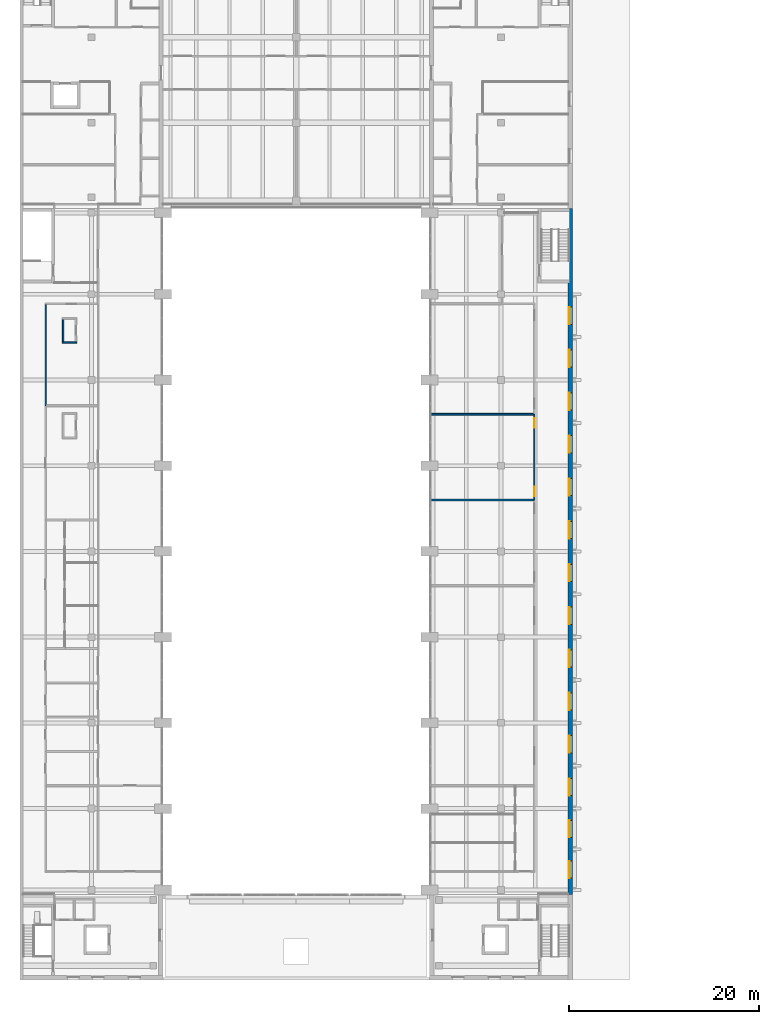
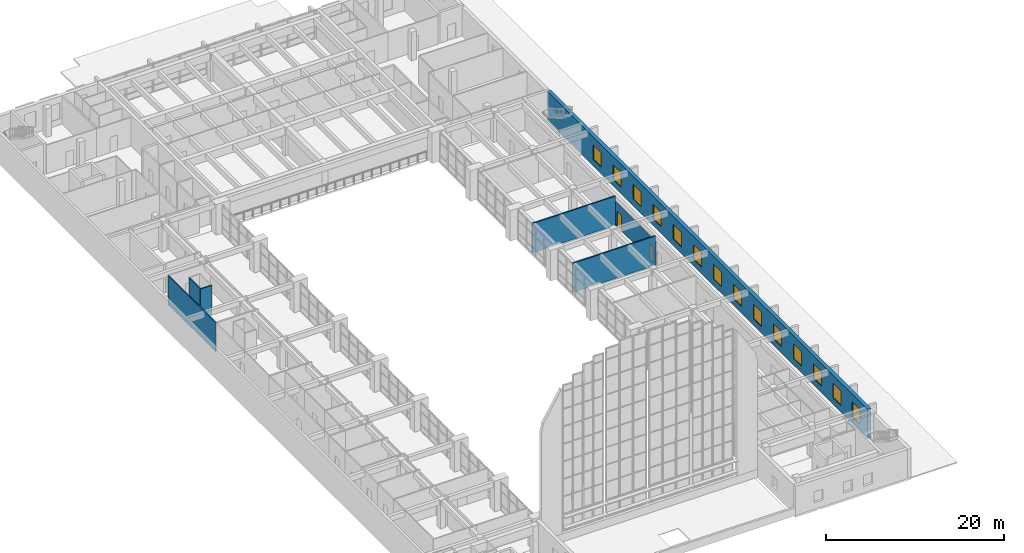
# One storey, part 30 of 45: 14 windows, 7 walls, 2 doors, 16 openings.
"""IFC4 building model written with IfcOpenShell, lengths in metres."""

from ifc_helpers import new_model, si_unit, direction, frame, frame_2d, origin, place, context, subcontext, project, spatial, rectangle, extrude, material, layer, layer_set, type_object, element, fill, save


model = new_model("IFC4")

# Units and contexts
model_context = context("Model", 3, precision=1e-05, world=origin(), true_north=direction((0.0, 1.0)))
body_context = subcontext(model_context, "Body", "Model", "MODEL_VIEW")
ifc_project = project(units=[si_unit("LENGTHUNIT", "METRE"), si_unit("AREAUNIT", "SQUARE_METRE"), si_unit("VOLUMEUNIT", "CUBIC_METRE"), si_unit("PLANEANGLEUNIT", "RADIAN"), si_unit("MASSUNIT", "GRAM", prefix="KILO")], contexts=[model_context])

# Site, building, storey
site_placement = place(None, origin())
site = spatial("IfcSite", under=ifc_project, at=site_placement, CompositionType="ELEMENT")
building_placement = place(site_placement, origin())
building = spatial("IfcBuilding", under=site, at=building_placement, Name="Elmora Arch Market Hall", CompositionType="ELEMENT")
storey_placement = place(building_placement, frame((0.0, 0.0, 6.0)))
storey = spatial("IfcBuildingStorey", under=building, at=storey_placement, Name="L01", CompositionType="ELEMENT", Elevation=6.0)

# Walls
ifc_material_1 = material(Name="Blockwork", Category="masonry")
ifc_layer_1 = layer(ifc_material_1, 0.14990234375)
ifc_layer_set_1 = layer_set([ifc_layer_1], Name="Blockwork")
wall_type_1 = type_object("IfcWallType", Name="Blockwork partition 150 EI 120", PredefinedType="PARTITIONING", material=ifc_layer_set_1)
wall_1_placement = place(storey_placement, frame((4.449951171875, 84.925048828125, 0.0), z_axis=(0.0, 0.0, 1.0), x_axis=(1.0, 0.0, 0.0)))
element("IfcWall", 1, at=wall_1_placement, inside=storey, type_object=wall_type_1, Name="Riser wall L01 08", PredefinedType="PARTITIONING", context=body_context, shape_type="SweptSolid", body=[
    extrude(rectangle(XDim=1.5, YDim=0.14990234375, at=frame_2d((0.75, 0.0))), origin(), (0.0, 0.0, 1.0), 4.0),
])
wall_2_placement = place(storey_placement, frame((4.52490234375, 85.0, 0.0), z_axis=(0.0, 0.0, 1.0), x_axis=(0.0, 1.0, 0.0)))
element("IfcWall", 2, at=wall_2_placement, inside=storey, type_object=wall_type_1, Name="Riser wall L01 09", PredefinedType="PARTITIONING", context=body_context, shape_type="SweptSolid", body=[
    extrude(rectangle(XDim=2.39990234375, YDim=0.14990234375, at=frame_2d((1.199951171875, 0.0))), origin(), (0.0, 0.0, 1.0), 4.0),
])

# Wall, openings, windows
ifc_material_2 = material(Name="Concrete C40/50", Category="concrete")
ifc_layer_2 = layer(ifc_material_2, 0.449951171875)
ifc_layer_set_2 = layer_set([ifc_layer_2], Name="Concrete C40/50")
wall_type_2 = type_object("IfcWallType", Name="Board-marked concrete wall 450", PredefinedType="SOLIDWALL", material=ifc_layer_set_2)
wall_3_placement = place(storey_placement, frame((57.77490234375, 99.0, 0.0), z_axis=(0.0, 0.0, 1.0), x_axis=(0.0, -1.0, 0.0)))
wall_3 = element("IfcWall", 3, at=wall_3_placement, inside=storey, type_object=wall_type_2, Name="Facade wall east EW L01", PredefinedType="SOLIDWALL", context=body_context, shape_type="SweptSolid", body=[
    extrude(rectangle(XDim=72.0, YDim=0.449951171875, at=frame_2d((36.0, 0.0))), origin(), (0.0, 0.0, 1.0), 4.0),
])
opening_1_placement = place(wall_3_placement, frame((68.512451171875, 0.0, 0.89990234375)))
opening_1 = element("IfcOpeningElement", 4, at=opening_1_placement, cuts=wall_3, Name="Opening WA1", PredefinedType="OPENING", context=body_context, shape_type="SweptSolid", body=[
    extrude(rectangle(XDim=1.800048828125, YDim=2.0, at=frame_2d((0.89990234375, 1.0))), frame((0.0, 0.23486328125, 0.0), z_axis=(0.0, -1.0, 0.0), x_axis=(1.0, 0.0, 0.0)), (0.0, 0.0, 1.0), 0.469970703125),
])
opening_2_placement = place(wall_3_placement, frame((64.237548828125, 0.0, 0.89990234375)))
opening_2 = element("IfcOpeningElement", 5, at=opening_2_placement, cuts=wall_3, Name="Opening WA1", PredefinedType="OPENING", context=body_context, shape_type="SweptSolid", body=[
    extrude(rectangle(XDim=1.800048828125, YDim=2.0, at=frame_2d((0.89990234375, 1.0))), frame((0.0, 0.23486328125, 0.0), z_axis=(0.0, -1.0, 0.0), x_axis=(1.0, 0.0, 0.0)), (0.0, 0.0, 1.0), 0.469970703125),
])
opening_3_placement = place(wall_3_placement, frame((59.85009765625, 0.0, 0.89990234375)))
opening_3 = element("IfcOpeningElement", 6, at=opening_3_placement, cuts=wall_3, Name="Opening WA1", PredefinedType="OPENING", context=body_context, shape_type="SweptSolid", body=[
    extrude(rectangle(XDim=1.800048828125, YDim=2.0, at=frame_2d((0.89990234375, 1.0))), frame((0.0, 0.23486328125, 0.0), z_axis=(0.0, -1.0, 0.0), x_axis=(1.0, 0.0, 0.0)), (0.0, 0.0, 1.0), 0.469970703125),
])
opening_4_placement = place(wall_3_placement, frame((55.35009765625, 0.0, 0.89990234375)))
opening_4 = element("IfcOpeningElement", 7, at=opening_4_placement, cuts=wall_3, Name="Opening WA1", PredefinedType="OPENING", context=body_context, shape_type="SweptSolid", body=[
    extrude(rectangle(XDim=1.800048828125, YDim=2.0, at=frame_2d((0.89990234375, 1.0))), frame((0.0, 0.23486328125, 0.0), z_axis=(0.0, -1.0, 0.0), x_axis=(1.0, 0.0, 0.0)), (0.0, 0.0, 1.0), 0.469970703125),
])
opening_5_placement = place(wall_3_placement, frame((50.85009765625, 0.0, 0.89990234375)))
opening_5 = element("IfcOpeningElement", 8, at=opening_5_placement, cuts=wall_3, Name="Opening WA1", PredefinedType="OPENING", context=body_context, shape_type="SweptSolid", body=[
    extrude(rectangle(XDim=1.800048828125, YDim=2.0, at=frame_2d((0.89990234375, 1.0))), frame((0.0, 0.23486328125, 0.0), z_axis=(0.0, -1.0, 0.0), x_axis=(1.0, 0.0, 0.0)), (0.0, 0.0, 1.0), 0.469970703125),
])
opening_6_placement = place(wall_3_placement, frame((46.35009765625, 0.0, 0.89990234375)))
opening_6 = element("IfcOpeningElement", 9, at=opening_6_placement, cuts=wall_3, Name="Opening WA1", PredefinedType="OPENING", context=body_context, shape_type="SweptSolid", body=[
    extrude(rectangle(XDim=1.800048828125, YDim=2.0, at=frame_2d((0.89990234375, 1.0))), frame((0.0, 0.23486328125, 0.0), z_axis=(0.0, -1.0, 0.0), x_axis=(1.0, 0.0, 0.0)), (0.0, 0.0, 1.0), 0.469970703125),
])
opening_7_placement = place(wall_3_placement, frame((41.85009765625, 0.0, 0.89990234375)))
opening_7 = element("IfcOpeningElement", 10, at=opening_7_placement, cuts=wall_3, Name="Opening WA1", PredefinedType="OPENING", context=body_context, shape_type="SweptSolid", body=[
    extrude(rectangle(XDim=1.800048828125, YDim=2.0, at=frame_2d((0.89990234375, 1.0))), frame((0.0, 0.23486328125, 0.0), z_axis=(0.0, -1.0, 0.0), x_axis=(1.0, 0.0, 0.0)), (0.0, 0.0, 1.0), 0.469970703125),
])
opening_8_placement = place(wall_3_placement, frame((37.35009765625, 0.0, 0.89990234375)))
opening_8 = element("IfcOpeningElement", 11, at=opening_8_placement, cuts=wall_3, Name="Opening WA1", PredefinedType="OPENING", context=body_context, shape_type="SweptSolid", body=[
    extrude(rectangle(XDim=1.800048828125, YDim=2.0, at=frame_2d((0.89990234375, 1.0))), frame((0.0, 0.23486328125, 0.0), z_axis=(0.0, -1.0, 0.0), x_axis=(1.0, 0.0, 0.0)), (0.0, 0.0, 1.0), 0.469970703125),
])
opening_9_placement = place(wall_3_placement, frame((32.85009765625, 0.0, 0.89990234375)))
opening_9 = element("IfcOpeningElement", 12, at=opening_9_placement, cuts=wall_3, Name="Opening WA1", PredefinedType="OPENING", context=body_context, shape_type="SweptSolid", body=[
    extrude(rectangle(XDim=1.800048828125, YDim=2.0, at=frame_2d((0.89990234375, 1.0))), frame((0.0, 0.23486328125, 0.0), z_axis=(0.0, -1.0, 0.0), x_axis=(1.0, 0.0, 0.0)), (0.0, 0.0, 1.0), 0.469970703125),
])
opening_10_placement = place(wall_3_placement, frame((28.35009765625, 0.0, 0.89990234375)))
opening_10 = element("IfcOpeningElement", 13, at=opening_10_placement, cuts=wall_3, Name="Opening WA1", PredefinedType="OPENING", context=body_context, shape_type="SweptSolid", body=[
    extrude(rectangle(XDim=1.800048828125, YDim=2.0, at=frame_2d((0.89990234375, 1.0))), frame((0.0, 0.23486328125, 0.0), z_axis=(0.0, -1.0, 0.0), x_axis=(1.0, 0.0, 0.0)), (0.0, 0.0, 1.0), 0.469970703125),
])
opening_11_placement = place(wall_3_placement, frame((23.85009765625, 0.0, 0.89990234375)))
opening_11 = element("IfcOpeningElement", 14, at=opening_11_placement, cuts=wall_3, Name="Opening WA1", PredefinedType="OPENING", context=body_context, shape_type="SweptSolid", body=[
    extrude(rectangle(XDim=1.800048828125, YDim=2.0, at=frame_2d((0.89990234375, 1.0))), frame((0.0, 0.23486328125, 0.0), z_axis=(0.0, -1.0, 0.0), x_axis=(1.0, 0.0, 0.0)), (0.0, 0.0, 1.0), 0.469970703125),
])
opening_12_placement = place(wall_3_placement, frame((19.35009765625, 0.0, 0.89990234375)))
opening_12 = element("IfcOpeningElement", 15, at=opening_12_placement, cuts=wall_3, Name="Opening WA1", PredefinedType="OPENING", context=body_context, shape_type="SweptSolid", body=[
    extrude(rectangle(XDim=1.800048828125, YDim=2.0, at=frame_2d((0.89990234375, 1.0))), frame((0.0, 0.23486328125, 0.0), z_axis=(0.0, -1.0, 0.0), x_axis=(1.0, 0.0, 0.0)), (0.0, 0.0, 1.0), 0.469970703125),
])
opening_13_placement = place(wall_3_placement, frame((14.85009765625, 0.0, 0.89990234375)))
opening_13 = element("IfcOpeningElement", 16, at=opening_13_placement, cuts=wall_3, Name="Opening WA1", PredefinedType="OPENING", context=body_context, shape_type="SweptSolid", body=[
    extrude(rectangle(XDim=1.800048828125, YDim=2.0, at=frame_2d((0.89990234375, 1.0))), frame((0.0, 0.23486328125, 0.0), z_axis=(0.0, -1.0, 0.0), x_axis=(1.0, 0.0, 0.0)), (0.0, 0.0, 1.0), 0.469970703125),
])
opening_14_placement = place(wall_3_placement, frame((10.35009765625, 0.0, 0.89990234375)))
opening_14 = element("IfcOpeningElement", 17, at=opening_14_placement, cuts=wall_3, Name="Opening WA1", PredefinedType="OPENING", context=body_context, shape_type="SweptSolid", body=[
    extrude(rectangle(XDim=1.800048828125, YDim=2.0, at=frame_2d((0.89990234375, 1.0))), frame((0.0, 0.23486328125, 0.0), z_axis=(0.0, -1.0, 0.0), x_axis=(1.0, 0.0, 0.0)), (0.0, 0.0, 1.0), 0.469970703125),
])
ifc_material_3 = material(Name="Aluminium", Category="aluminium")
window_type = type_object("IfcWindowType", Name="Arcade window 1800x2000", PartitioningType="SINGLE_PANEL", PredefinedType="WINDOW", material=ifc_material_3)
window_1_placement = place(opening_1_placement, origin())
window_1 = element("IfcWindow", 18, at=window_1_placement, inside=storey, type_object=window_type, Name="Window WA1 L01 E1", OverallHeight=2.0, OverallWidth=1.800048828125, PartitioningType="SINGLE_PANEL", PredefinedType="WINDOW", context=body_context, shape_type="SweptSolid", body=[
    extrude(rectangle(XDim=1.800048828125, YDim=2.0, at=frame_2d((0.89990234375, 1.0))), frame((0.0, -0.074951171875, 0.0), z_axis=(0.0, -1.0, 0.0), x_axis=(1.0, 0.0, 0.0)), (0.0, 0.0, 1.0), 0.06005859375),
])
fill(opening_1, window_1)
window_2_placement = place(opening_2_placement, origin())
window_2 = element("IfcWindow", 19, at=window_2_placement, inside=storey, type_object=window_type, Name="Window WA1 L01 E2", OverallHeight=2.0, OverallWidth=1.800048828125, PartitioningType="SINGLE_PANEL", PredefinedType="WINDOW", context=body_context, shape_type="SweptSolid", body=[
    extrude(rectangle(XDim=1.800048828125, YDim=2.0, at=frame_2d((0.89990234375, 1.0))), frame((0.0, -0.074951171875, 0.0), z_axis=(0.0, -1.0, 0.0), x_axis=(1.0, 0.0, 0.0)), (0.0, 0.0, 1.0), 0.06005859375),
])
fill(opening_2, window_2)
window_3_placement = place(opening_3_placement, origin())
window_3 = element("IfcWindow", 20, at=window_3_placement, inside=storey, type_object=window_type, Name="Window WA1 L01 E3", OverallHeight=2.0, OverallWidth=1.800048828125, PartitioningType="SINGLE_PANEL", PredefinedType="WINDOW", context=body_context, shape_type="SweptSolid", body=[
    extrude(rectangle(XDim=1.800048828125, YDim=2.0, at=frame_2d((0.89990234375, 1.0))), frame((0.0, -0.074951171875, 0.0), z_axis=(0.0, -1.0, 0.0), x_axis=(1.0, 0.0, 0.0)), (0.0, 0.0, 1.0), 0.06005859375),
])
fill(opening_3, window_3)
window_4_placement = place(opening_4_placement, origin())
window_4 = element("IfcWindow", 21, at=window_4_placement, inside=storey, type_object=window_type, Name="Window WA1 L01 E4", OverallHeight=2.0, OverallWidth=1.800048828125, PartitioningType="SINGLE_PANEL", PredefinedType="WINDOW", context=body_context, shape_type="SweptSolid", body=[
    extrude(rectangle(XDim=1.800048828125, YDim=2.0, at=frame_2d((0.89990234375, 1.0))), frame((0.0, -0.074951171875, 0.0), z_axis=(0.0, -1.0, 0.0), x_axis=(1.0, 0.0, 0.0)), (0.0, 0.0, 1.0), 0.06005859375),
])
fill(opening_4, window_4)
window_5_placement = place(opening_5_placement, origin())
window_5 = element("IfcWindow", 22, at=window_5_placement, inside=storey, type_object=window_type, Name="Window WA1 L01 E5", OverallHeight=2.0, OverallWidth=1.800048828125, PartitioningType="SINGLE_PANEL", PredefinedType="WINDOW", context=body_context, shape_type="SweptSolid", body=[
    extrude(rectangle(XDim=1.800048828125, YDim=2.0, at=frame_2d((0.89990234375, 1.0))), frame((0.0, -0.074951171875, 0.0), z_axis=(0.0, -1.0, 0.0), x_axis=(1.0, 0.0, 0.0)), (0.0, 0.0, 1.0), 0.06005859375),
])
fill(opening_5, window_5)
window_6_placement = place(opening_6_placement, origin())
window_6 = element("IfcWindow", 23, at=window_6_placement, inside=storey, type_object=window_type, Name="Window WA1 L01 E6", OverallHeight=2.0, OverallWidth=1.800048828125, PartitioningType="SINGLE_PANEL", PredefinedType="WINDOW", context=body_context, shape_type="SweptSolid", body=[
    extrude(rectangle(XDim=1.800048828125, YDim=2.0, at=frame_2d((0.89990234375, 1.0))), frame((0.0, -0.074951171875, 0.0), z_axis=(0.0, -1.0, 0.0), x_axis=(1.0, 0.0, 0.0)), (0.0, 0.0, 1.0), 0.06005859375),
])
fill(opening_6, window_6)
window_7_placement = place(opening_7_placement, origin())
window_7 = element("IfcWindow", 24, at=window_7_placement, inside=storey, type_object=window_type, Name="Window WA1 L01 E7", OverallHeight=2.0, OverallWidth=1.800048828125, PartitioningType="SINGLE_PANEL", PredefinedType="WINDOW", context=body_context, shape_type="SweptSolid", body=[
    extrude(rectangle(XDim=1.800048828125, YDim=2.0, at=frame_2d((0.89990234375, 1.0))), frame((0.0, -0.074951171875, 0.0), z_axis=(0.0, -1.0, 0.0), x_axis=(1.0, 0.0, 0.0)), (0.0, 0.0, 1.0), 0.06005859375),
])
fill(opening_7, window_7)
window_8_placement = place(opening_8_placement, origin())
window_8 = element("IfcWindow", 25, at=window_8_placement, inside=storey, type_object=window_type, Name="Window WA1 L01 E8", OverallHeight=2.0, OverallWidth=1.800048828125, PartitioningType="SINGLE_PANEL", PredefinedType="WINDOW", context=body_context, shape_type="SweptSolid", body=[
    extrude(rectangle(XDim=1.800048828125, YDim=2.0, at=frame_2d((0.89990234375, 1.0))), frame((0.0, -0.074951171875, 0.0), z_axis=(0.0, -1.0, 0.0), x_axis=(1.0, 0.0, 0.0)), (0.0, 0.0, 1.0), 0.06005859375),
])
fill(opening_8, window_8)
window_9_placement = place(opening_9_placement, origin())
window_9 = element("IfcWindow", 26, at=window_9_placement, inside=storey, type_object=window_type, Name="Window WA1 L01 E9", OverallHeight=2.0, OverallWidth=1.800048828125, PartitioningType="SINGLE_PANEL", PredefinedType="WINDOW", context=body_context, shape_type="SweptSolid", body=[
    extrude(rectangle(XDim=1.800048828125, YDim=2.0, at=frame_2d((0.89990234375, 1.0))), frame((0.0, -0.074951171875, 0.0), z_axis=(0.0, -1.0, 0.0), x_axis=(1.0, 0.0, 0.0)), (0.0, 0.0, 1.0), 0.06005859375),
])
fill(opening_9, window_9)
window_10_placement = place(opening_10_placement, origin())
window_10 = element("IfcWindow", 27, at=window_10_placement, inside=storey, type_object=window_type, Name="Window WA1 L01 E10", OverallHeight=2.0, OverallWidth=1.800048828125, PartitioningType="SINGLE_PANEL", PredefinedType="WINDOW", context=body_context, shape_type="SweptSolid", body=[
    extrude(rectangle(XDim=1.800048828125, YDim=2.0, at=frame_2d((0.89990234375, 1.0))), frame((0.0, -0.074951171875, 0.0), z_axis=(0.0, -1.0, 0.0), x_axis=(1.0, 0.0, 0.0)), (0.0, 0.0, 1.0), 0.06005859375),
])
fill(opening_10, window_10)
window_11_placement = place(opening_11_placement, origin())
window_11 = element("IfcWindow", 28, at=window_11_placement, inside=storey, type_object=window_type, Name="Window WA1 L01 E11", OverallHeight=2.0, OverallWidth=1.800048828125, PartitioningType="SINGLE_PANEL", PredefinedType="WINDOW", context=body_context, shape_type="SweptSolid", body=[
    extrude(rectangle(XDim=1.800048828125, YDim=2.0, at=frame_2d((0.89990234375, 1.0))), frame((0.0, -0.074951171875, 0.0), z_axis=(0.0, -1.0, 0.0), x_axis=(1.0, 0.0, 0.0)), (0.0, 0.0, 1.0), 0.06005859375),
])
fill(opening_11, window_11)
window_12_placement = place(opening_12_placement, origin())
window_12 = element("IfcWindow", 29, at=window_12_placement, inside=storey, type_object=window_type, Name="Window WA1 L01 E12", OverallHeight=2.0, OverallWidth=1.800048828125, PartitioningType="SINGLE_PANEL", PredefinedType="WINDOW", context=body_context, shape_type="SweptSolid", body=[
    extrude(rectangle(XDim=1.800048828125, YDim=2.0, at=frame_2d((0.89990234375, 1.0))), frame((0.0, -0.074951171875, 0.0), z_axis=(0.0, -1.0, 0.0), x_axis=(1.0, 0.0, 0.0)), (0.0, 0.0, 1.0), 0.06005859375),
])
fill(opening_12, window_12)
window_13_placement = place(opening_13_placement, origin())
window_13 = element("IfcWindow", 30, at=window_13_placement, inside=storey, type_object=window_type, Name="Window WA1 L01 E13", OverallHeight=2.0, OverallWidth=1.800048828125, PartitioningType="SINGLE_PANEL", PredefinedType="WINDOW", context=body_context, shape_type="SweptSolid", body=[
    extrude(rectangle(XDim=1.800048828125, YDim=2.0, at=frame_2d((0.89990234375, 1.0))), frame((0.0, -0.074951171875, 0.0), z_axis=(0.0, -1.0, 0.0), x_axis=(1.0, 0.0, 0.0)), (0.0, 0.0, 1.0), 0.06005859375),
])
fill(opening_13, window_13)
window_14_placement = place(opening_14_placement, origin())
window_14 = element("IfcWindow", 31, at=window_14_placement, inside=storey, type_object=window_type, Name="Window WA1 L01 E14", OverallHeight=2.0, OverallWidth=1.800048828125, PartitioningType="SINGLE_PANEL", PredefinedType="WINDOW", context=body_context, shape_type="SweptSolid", body=[
    extrude(rectangle(XDim=1.800048828125, YDim=2.0, at=frame_2d((0.89990234375, 1.0))), frame((0.0, -0.074951171875, 0.0), z_axis=(0.0, -1.0, 0.0), x_axis=(1.0, 0.0, 0.0)), (0.0, 0.0, 1.0), 0.06005859375),
])
fill(opening_14, window_14)

# Wall
ifc_material_4 = material(Name="Gypsum board on metal studs")
ifc_layer_3 = layer(ifc_material_4, 0.125)
ifc_layer_set_3 = layer_set([ifc_layer_3], Name="Gypsum board on metal studs")
wall_type_3 = type_object("IfcWallType", Name="Partition 125 EI 60", PredefinedType="PARTITIONING", material=ifc_layer_set_3)
wall_4_placement = place(storey_placement, frame((2.699951171875, 78.300048828125, 0.0), z_axis=(0.0, 0.0, 1.0), x_axis=(0.0, 1.0, 0.0)))
element("IfcWall", 32, at=wall_4_placement, inside=storey, type_object=wall_type_3, Name="Partition PT-L01-088", PredefinedType="PARTITIONING", context=body_context, shape_type="SweptSolid", body=[
    extrude(rectangle(XDim=10.637451171875, YDim=0.125, at=frame_2d((5.31884765625, 0.0))), origin(), (0.0, 0.0, 1.0), 4.0),
])

# Wall, openings, doors
wall_5_placement = place(storey_placement, frame((54.0, 68.39990234375, 0.0), z_axis=(0.0, 0.0, 1.0), x_axis=(0.0, 1.0, 0.0)))
wall_5 = element("IfcWall", 33, at=wall_5_placement, inside=storey, type_object=wall_type_3, Name="Partition PT-L01-134", PredefinedType="PARTITIONING", context=body_context, shape_type="SweptSolid", body=[
    extrude(rectangle(XDim=9.0, YDim=0.125, at=frame_2d((4.5, 0.0))), origin(), (0.0, 0.0, 1.0), 3.25),
])
opening_15_placement = place(wall_5_placement, frame((0.39990234375, 0.0, 0.0)))
opening_15 = element("IfcOpeningElement", 34, at=opening_15_placement, cuts=wall_5, Name="Opening D-L01-028", PredefinedType="OPENING", context=body_context, shape_type="SweptSolid", body=[
    extrude(rectangle(XDim=1.0, YDim=2.10009765625, at=frame_2d((0.5, 1.050048828125))), frame((0.0, 0.072509765625, 0.0), z_axis=(0.0, -1.0, 0.0), x_axis=(1.0, 0.0, 0.0)), (0.0, 0.0, 1.0), 0.14501953125),
])
opening_16_placement = place(wall_5_placement, frame((7.60009765625, 0.0, 0.0)))
opening_16 = element("IfcOpeningElement", 35, at=opening_16_placement, cuts=wall_5, Name="Opening D-L01-032", PredefinedType="OPENING", context=body_context, shape_type="SweptSolid", body=[
    extrude(rectangle(XDim=1.0, YDim=2.10009765625, at=frame_2d((0.5, 1.050048828125))), frame((0.0, 0.072509765625, 0.0), z_axis=(0.0, -1.0, 0.0), x_axis=(1.0, 0.0, 0.0)), (0.0, 0.0, 1.0), 0.14501953125),
])
ifc_material_5 = material(Name="Steel ASTM A653 galvanised", Category="steel")
door_type = type_object("IfcDoorType", Name="Door 1000 x 2100 FD45", OperationType="SINGLE_SWING_LEFT", PredefinedType="DOOR", material=ifc_material_5)
door_1_placement = place(opening_15_placement, origin())
door_1 = element("IfcDoor", 36, at=door_1_placement, inside=storey, type_object=door_type, Name="D-L01-028", OperationType="SINGLE_SWING_LEFT", OverallHeight=2.10009765625, OverallWidth=1.0, PredefinedType="DOOR", context=body_context, shape_type="SweptSolid", body=[
    extrude(rectangle(XDim=1.0, YDim=2.10009765625, at=frame_2d((0.5, 1.050048828125))), frame((0.0, 0.02490234375, 0.0), z_axis=(0.0, -1.0, 0.0), x_axis=(1.0, 0.0, 0.0)), (0.0, 0.0, 1.0), 0.050048828125),
])
fill(opening_15, door_1)
door_2_placement = place(opening_16_placement, origin())
door_2 = element("IfcDoor", 37, at=door_2_placement, inside=storey, type_object=door_type, Name="D-L01-032", OperationType="SINGLE_SWING_RIGHT", OverallHeight=2.10009765625, OverallWidth=1.0, PredefinedType="DOOR", context=body_context, shape_type="SweptSolid", body=[
    extrude(rectangle(XDim=1.0, YDim=2.10009765625, at=frame_2d((0.5, 1.050048828125))), frame((0.0, 0.02490234375, 0.0), z_axis=(0.0, -1.0, 0.0), x_axis=(1.0, 0.0, 0.0)), (0.0, 0.0, 1.0), 0.050048828125),
])
fill(opening_16, door_2)

# Walls
ifc_material_6 = material(Name="Gypsum board on metal studs")
ifc_layer_4 = layer(ifc_material_6, 0.175048828125)
ifc_layer_set_4 = layer_set([ifc_layer_4], Name="Gypsum board on metal studs")
wall_type_4 = type_object("IfcWallType", Name="Partition 175 EI 60", PredefinedType="PARTITIONING", material=ifc_layer_set_4)
for number, where, z_axis, x_axis, name in (
    (38, (43.14990234375, 68.39990234375, 0.0), (0.0, 0.0, 1.0), (1.0, 0.0, 0.0), "Partition PT-L01-023"),
    (39, (43.14990234375, 77.39990234375, 0.0), (0.0, 0.0, 1.0), (1.0, 0.0, 0.0), "Partition PT-L01-024"),
):
    element("IfcWall", number, at=place(storey_placement, frame(where, z_axis=z_axis, x_axis=x_axis)), inside=storey, type_object=wall_type_4, Name=name, PredefinedType="PARTITIONING", context=body_context, shape_type="SweptSolid", body=[
        extrude(rectangle(XDim=10.78759765625, YDim=0.175048828125, at=frame_2d((5.393798828125, 0.0))), origin(), (0.0, 0.0, 1.0), 4.0),
    ])

save(model, "model.ifc")
